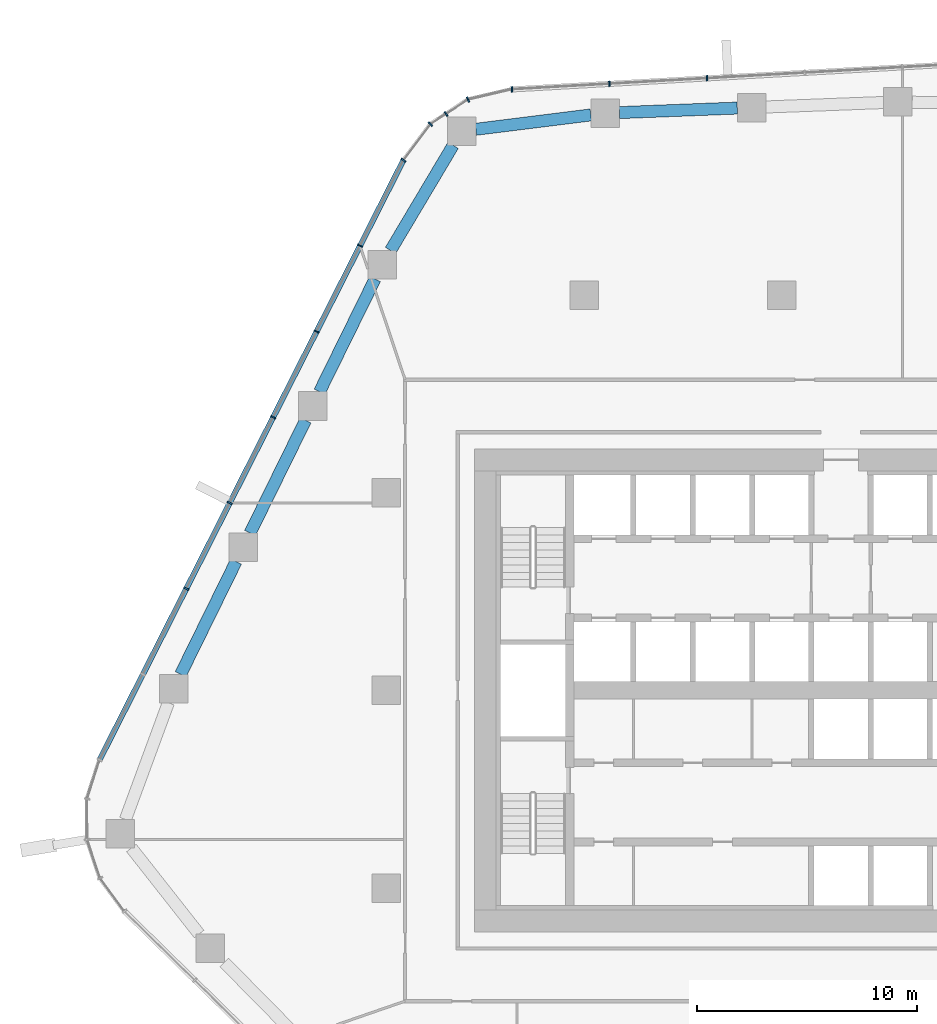
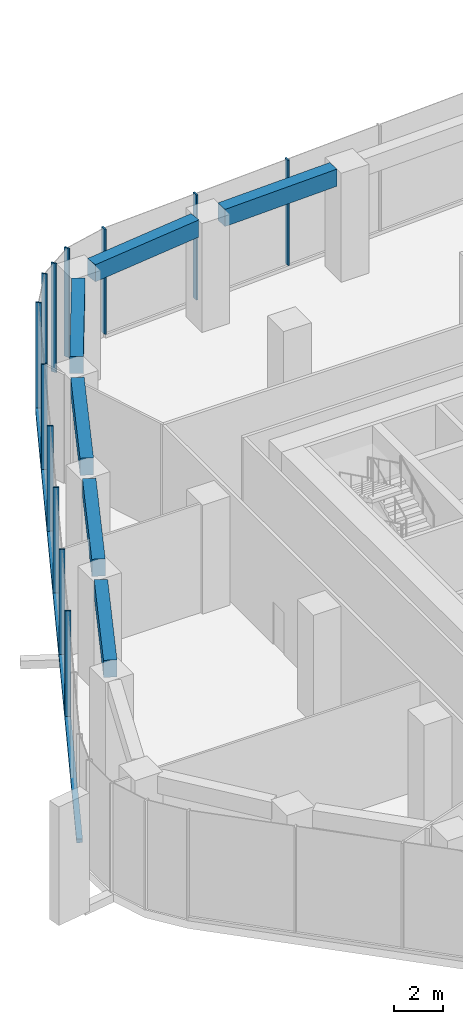
# One storey, part 5 of 18: 13 members, 6 beams, 4 elements without a shape of their own.
"""IFC4 building model written with IfcOpenShell, lengths in metres."""

from ifc_helpers import new_model, si_unit, direction, frame, origin, origin_2d, place, context, subcontext, project, spatial, rectangle, extrude, material, layer, layer_set, material_profile, profile_set, type_object, element, aggregate, save


model = new_model("IFC4")

# Units and contexts
model_context = context("Model", 3, precision=1e-05, world=origin(), true_north=direction((0.0, 1.0)))
body_context = subcontext(model_context, "Body", "Model", "MODEL_VIEW")
ifc_project = project(units=[si_unit("LENGTHUNIT", "METRE"), si_unit("AREAUNIT", "SQUARE_METRE"), si_unit("VOLUMEUNIT", "CUBIC_METRE"), si_unit("PLANEANGLEUNIT", "RADIAN"), si_unit("MASSUNIT", "GRAM", prefix="KILO")], contexts=[model_context])

# Site, building, storey
site_placement = place(None, origin())
site = spatial("IfcSite", under=ifc_project, at=site_placement, CompositionType="ELEMENT")
building_placement = place(site_placement, origin())
building = spatial("IfcBuilding", under=site, at=building_placement, Name="Dongbaek Canopy Tower", CompositionType="ELEMENT")
storey_placement = place(building_placement, frame((0.0, 0.0, 139.60009765625)))
storey = spatial("IfcBuildingStorey", under=building, at=storey_placement, Name="L31", CompositionType="ELEMENT", Elevation=139.60009765625)

# Curtain wall, members
ifc_material_1 = material(Name="Aluminium 6063-T6 pale anodised", Category="aluminium")
ifc_layer = layer(ifc_material_1, 0.25)
ifc_layer_set = layer_set([ifc_layer], Name="CW-4 sky-lobby curtain wall")
curtain_wall_type = type_object("IfcCurtainWallType", Name="CW-4 sky-lobby curtain wall", PredefinedType="NOTDEFINED", material=ifc_layer_set)
curtain_wall_1_placement = place(storey_placement, origin())
curtain_wall_1 = element("IfcCurtainWall", 1, at=curtain_wall_1_placement, inside=storey, type_object=curtain_wall_type, Name="CW-4 curtain wall F1.1", PredefinedType="NOTDEFINED")
ifc_material_2 = material(Name="Aluminium 6063-T6 pale anodised", Category="aluminium")
ifc_material_profile_1 = material_profile(ifc_material_2, rectangle(XDim=0.25, YDim=0.070068359375, at=origin_2d()), Name="CW-4 mullion 70 x 250")
ifc_profile_set_1 = profile_set([ifc_material_profile_1], Name="Aluminium 6063-T6 pale anodised")
member_type_1 = type_object("IfcMemberType", Name="CW-4 mullion 70 x 250", PredefinedType="MULLION", material=ifc_profile_set_1)
member_1_placement = place(storey_placement, frame((-3.39892578125, 27.87841796875, 0.179931640625), z_axis=(0.0, 0.0, 1.0), x_axis=(-0.056495338566, 0.998402862937, 0.0)))
member_1 = element("IfcMember", 2, at=member_1_placement, type_object=member_type_1, Name="CW-4 mullion F1.1.4", PredefinedType="MULLION", context=body_context, shape_type="SweptSolid", body=[
    extrude(rectangle(XDim=0.25, YDim=0.070068359375, at=origin_2d()), origin(), (0.0, 0.0, 1.0), 5.219970703125),
])
member_2_placement = place(storey_placement, frame((-7.84619140625, 27.626953125, 0.179931640625), z_axis=(0.0, 0.0, 1.0), x_axis=(-0.056495338566, 0.998402862937, 0.0)))
member_2 = element("IfcMember", 3, at=member_2_placement, type_object=member_type_1, Name="CW-4 mullion F1.1.5", PredefinedType="MULLION", context=body_context, shape_type="SweptSolid", body=[
    extrude(rectangle(XDim=0.25, YDim=0.070068359375, at=origin_2d()), origin(), (0.0, 0.0, 1.0), 5.219970703125),
])
member_3_placement = place(storey_placement, frame((-12.284912109375, 27.375732421875, 0.179931640625), z_axis=(0.0, 0.0, 1.0), x_axis=(-0.056495338566, 0.998402862937, 0.0)))
member_3 = element("IfcMember", 4, at=member_3_placement, type_object=member_type_1, Name="CW-4 mullion F1.1.6", PredefinedType="MULLION", context=body_context, shape_type="SweptSolid", body=[
    extrude(rectangle(XDim=0.25, YDim=0.070068359375, at=origin_2d()), origin(), (0.0, 0.0, 1.0), 5.219970703125),
])
aggregate(curtain_wall_1, [member_1, member_2, member_3])

curtain_wall_2_placement = place(storey_placement, origin())
curtain_wall_2 = element("IfcCurtainWall", 5, at=curtain_wall_2_placement, inside=storey, type_object=curtain_wall_type, Name="CW-4 curtain wall K2.1a", PredefinedType="NOTDEFINED")
member_4_placement = place(storey_placement, frame((-14.283935546875, 26.906005859375, 0.0), z_axis=(0.0, 0.0, 1.0), x_axis=(-0.393965227079, 0.919125345017, 0.0)))
member_4 = element("IfcMember", 6, at=member_4_placement, type_object=member_type_1, Name="CW-4 mullion K2.1a.2", PredefinedType="MULLION", context=body_context, shape_type="SweptSolid", body=[
    extrude(rectangle(XDim=0.25, YDim=0.070068359375, at=origin_2d()), origin(), (0.0, 0.0, 1.0), 5.39990234375),
])
member_5_placement = place(storey_placement, frame((-15.28466796875, 26.251708984375, 0.0), z_axis=(0.0, 0.0, 1.0), x_axis=(-0.547312675303, 0.836928214038, 0.0)))
member_5 = element("IfcMember", 7, at=member_5_placement, type_object=member_type_1, Name="CW-4 mullion K2.1a.3", PredefinedType="MULLION", context=body_context, shape_type="SweptSolid", body=[
    extrude(rectangle(XDim=0.25, YDim=0.070068359375, at=origin_2d()), origin(), (0.0, 0.0, 1.0), 5.39990234375),
])
aggregate(curtain_wall_2, [member_4, member_5])

curtain_wall_3_placement = place(storey_placement, origin())
curtain_wall_3 = element("IfcCurtainWall", 8, at=curtain_wall_3_placement, inside=storey, type_object=curtain_wall_type, Name="CW-4 curtain wall K2.1b", PredefinedType="NOTDEFINED")
member_6_placement = place(storey_placement, frame((-15.995361328125, 25.786865234375, 0.0), z_axis=(0.0, 0.0, 1.0), x_axis=(-0.684091979186, 0.72939575267, 0.0)))
member_6 = element("IfcMember", 9, at=member_6_placement, type_object=member_type_1, Name="CW-4 mullion K2.1b.2", PredefinedType="MULLION", context=body_context, shape_type="SweptSolid", body=[
    extrude(rectangle(XDim=0.25, YDim=0.070068359375, at=origin_2d()), origin(), (0.0, 0.0, 1.0), 5.39990234375),
])
member_7_placement = place(storey_placement, frame((-17.22705078125, 24.143798828125, 0.0), z_axis=(0.0, 0.0, 1.0), x_axis=(-0.800162581871, 0.599783162963, 0.0)))
member_7 = element("IfcMember", 10, at=member_7_placement, type_object=member_type_1, Name="CW-4 mullion K2.1b.3", PredefinedType="MULLION", context=body_context, shape_type="SweptSolid", body=[
    extrude(rectangle(XDim=0.25, YDim=0.070068359375, at=origin_2d()), origin(), (0.0, 0.0, 1.0), 5.39990234375),
])
aggregate(curtain_wall_3, [member_6, member_7])

curtain_wall_4_placement = place(storey_placement, origin())
curtain_wall_4 = element("IfcCurtainWall", 11, at=curtain_wall_4_placement, inside=storey, type_object=curtain_wall_type, Name="CW-4 curtain wall F2.1", PredefinedType="NOTDEFINED")
member_8_placement = place(storey_placement, frame((-19.201171875, 20.248046875, 0.179931640625), z_axis=(0.0, 0.0, 1.0), x_axis=(-0.892010816334, 0.452014052374, 0.0)))
member_8 = element("IfcMember", 12, at=member_8_placement, type_object=member_type_1, Name="CW-4 mullion F2.1.2", PredefinedType="MULLION", context=body_context, shape_type="SweptSolid", body=[
    extrude(rectangle(XDim=0.25, YDim=0.070068359375, at=origin_2d()), origin(), (0.0, 0.0, 1.0), 5.219970703125),
])
member_9_placement = place(storey_placement, frame((-21.17919921875, 16.344482421875, 0.179931640625), z_axis=(0.0, 0.0, 1.0), x_axis=(-0.892010816334, 0.452014052374, 0.0)))
member_9 = element("IfcMember", 13, at=member_9_placement, type_object=member_type_1, Name="CW-4 mullion F2.1.3", PredefinedType="MULLION", context=body_context, shape_type="SweptSolid", body=[
    extrude(rectangle(XDim=0.25, YDim=0.070068359375, at=origin_2d()), origin(), (0.0, 0.0, 1.0), 5.219970703125),
])
member_10_placement = place(storey_placement, frame((-23.1572265625, 12.441162109375, 0.179931640625), z_axis=(0.0, 0.0, 1.0), x_axis=(-0.892010816334, 0.452014052374, 0.0)))
member_10 = element("IfcMember", 14, at=member_10_placement, type_object=member_type_1, Name="CW-4 mullion F2.1.4", PredefinedType="MULLION", context=body_context, shape_type="SweptSolid", body=[
    extrude(rectangle(XDim=0.25, YDim=0.070068359375, at=origin_2d()), origin(), (0.0, 0.0, 1.0), 5.219970703125),
])
member_11_placement = place(storey_placement, frame((-25.13525390625, 8.53759765625, 0.179931640625), z_axis=(0.0, 0.0, 1.0), x_axis=(-0.892010816334, 0.452014052374, 0.0)))
member_11 = element("IfcMember", 15, at=member_11_placement, type_object=member_type_1, Name="CW-4 mullion F2.1.5", PredefinedType="MULLION", context=body_context, shape_type="SweptSolid", body=[
    extrude(rectangle(XDim=0.25, YDim=0.070068359375, at=origin_2d()), origin(), (0.0, 0.0, 1.0), 5.219970703125),
])
member_12_placement = place(storey_placement, frame((-27.11328125, 4.634033203125, 0.179931640625), z_axis=(0.0, 0.0, 1.0), x_axis=(-0.892010816334, 0.452014052374, 0.0)))
member_12 = element("IfcMember", 16, at=member_12_placement, type_object=member_type_1, Name="CW-4 mullion F2.1.6", PredefinedType="MULLION", context=body_context, shape_type="SweptSolid", body=[
    extrude(rectangle(XDim=0.25, YDim=0.070068359375, at=origin_2d()), origin(), (0.0, 0.0, 1.0), 5.219970703125),
])
ifc_material_3 = material(Name="Aluminium 6063-T6 pale anodised", Category="aluminium")
ifc_material_profile_2 = material_profile(ifc_material_3, rectangle(XDim=0.25, YDim=0.179931640625, at=origin_2d()), Name="CW-4 transom 180 x 250")
ifc_profile_set_2 = profile_set([ifc_material_profile_2], Name="Aluminium 6063-T6 pale anodised")
member_type_2 = type_object("IfcMemberType", Name="CW-4 transom 180 x 250", PredefinedType="USERDEFINED", material=ifc_profile_set_2)
member_13_placement = place(storey_placement, frame((-17.22705078125, 24.143798828125, 0.08984375), z_axis=(-0.452010902664, -0.892012412398, 0.0), x_axis=(0.892012412398, -0.452010902664, 0.0)))
member_13 = element("IfcMember", 17, at=member_13_placement, type_object=member_type_2, Name="CW-4 transom F2.1.1", ObjectType="TRANSOM", PredefinedType="USERDEFINED", context=body_context, shape_type="SweptSolid", body=[
    extrude(rectangle(XDim=0.25, YDim=0.179931640625, at=origin_2d()), origin(), (0.0, 0.0, 1.0), 30.61572265625),
])
aggregate(curtain_wall_4, [member_8, member_9, member_10, member_11, member_12, member_13])

# Beams
ifc_material_4 = material(Name="Concrete C80", Category="concrete")
ifc_material_profile_3 = material_profile(ifc_material_4, rectangle(XDim=0.550048828125, YDim=0.85009765625, at=origin_2d()), Name="RC EDGE BEAM 550x850 C80")
ifc_profile_set_3 = profile_set([ifc_material_profile_3], Name="Concrete C80")
beam_type = type_object("IfcBeamType", Name="RC EDGE BEAM 550x850 C80", PredefinedType="BEAM", material=ifc_profile_set_3)
beam_1_placement = place(storey_placement, frame((-27.373291015625, 0.73291015625, 4.974853515625), z_axis=(0.441213203353, 0.89740231178, 0.0), x_axis=(-0.89740231178, 0.441213203353, 0.0)))
element("IfcBeam", 18, at=beam_1_placement, inside=storey, type_object=beam_type, Name="EDGEBEAM:L31:09", PredefinedType="BEAM", context=body_context, shape_type="SweptSolid", body=[
    extrude(rectangle(XDim=0.550048828125, YDim=0.85009765625, at=origin_2d()), origin(), (0.0, 0.0, 1.0), 5.72216796875),
])
beam_2_placement = place(storey_placement, frame((-24.209228515625, 7.16796875, 4.974853515625), z_axis=(0.441418224378, 0.897301482885, 0.0), x_axis=(-0.897301482885, 0.441418224378, 0.0)))
element("IfcBeam", 19, at=beam_2_placement, inside=storey, type_object=beam_type, Name="EDGEBEAM:L31:10", PredefinedType="BEAM", context=body_context, shape_type="SweptSolid", body=[
    extrude(rectangle(XDim=0.550048828125, YDim=0.85009765625, at=origin_2d()), origin(), (0.0, 0.0, 1.0), 5.7216796875),
])
beam_3_placement = place(storey_placement, frame((-21.044189453125, 13.60205078125, 4.974853515625), z_axis=(0.441383867887, 0.89731838339, 0.0), x_axis=(-0.89731838339, 0.441383867887, 0.0)))
element("IfcBeam", 20, at=beam_3_placement, inside=storey, type_object=beam_type, Name="EDGEBEAM:L31:11", PredefinedType="BEAM", context=body_context, shape_type="SweptSolid", body=[
    extrude(rectangle(XDim=0.550048828125, YDim=0.85009765625, at=origin_2d()), origin(), (0.0, 0.0, 1.0), 5.721435546875),
])
beam_4_placement = place(storey_placement, frame((-17.81201171875, 20.035888671875, 4.974853515625), z_axis=(0.511514682827, 0.859274536602, 0.0), x_axis=(-0.859274536602, 0.511514682827, 0.0)))
element("IfcBeam", 21, at=beam_4_placement, inside=storey, type_object=beam_type, Name="EDGEBEAM:L31:12", PredefinedType="BEAM", context=body_context, shape_type="SweptSolid", body=[
    extrude(rectangle(XDim=0.550048828125, YDim=0.85009765625, at=origin_2d()), origin(), (0.0, 0.0, 1.0), 5.570068359375),
])
beam_5_placement = place(storey_placement, frame((-13.926025390625, 25.55322265625, 4.974853515625), z_axis=(0.992297087152, 0.123880954265, 0.0), x_axis=(-0.123880954265, 0.992297087152, 0.0)))
element("IfcBeam", 22, at=beam_5_placement, inside=storey, type_object=beam_type, Name="EDGEBEAM:L31:13", PredefinedType="BEAM", context=body_context, shape_type="SweptSolid", body=[
    extrude(rectangle(XDim=0.550048828125, YDim=0.85009765625, at=origin_2d()), origin(), (0.0, 0.0, 1.0), 5.275634765625),
])
beam_6_placement = place(storey_placement, frame((-7.39111328125, 26.31298828125, 4.974853515625), z_axis=(0.999264392696, 0.038349361015, 0.0), x_axis=(-0.038349361015, 0.999264392696, 0.0)))
element("IfcBeam", 23, at=beam_6_placement, inside=storey, type_object=beam_type, Name="EDGEBEAM:L31:14", PredefinedType="BEAM", context=body_context, shape_type="SweptSolid", body=[
    extrude(rectangle(XDim=0.550048828125, YDim=0.85009765625, at=origin_2d()), origin(), (0.0, 0.0, 1.0), 5.373046875),
])

save(model, "model.ifc")
